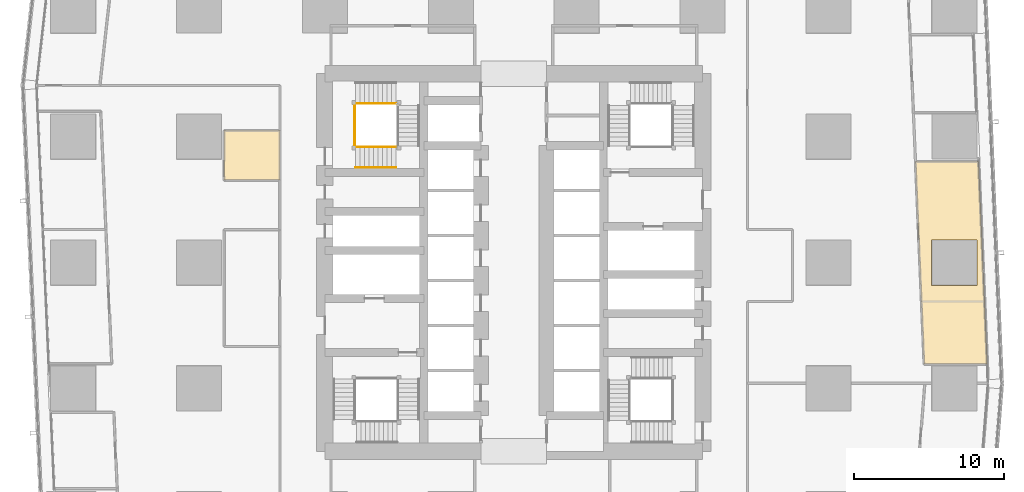
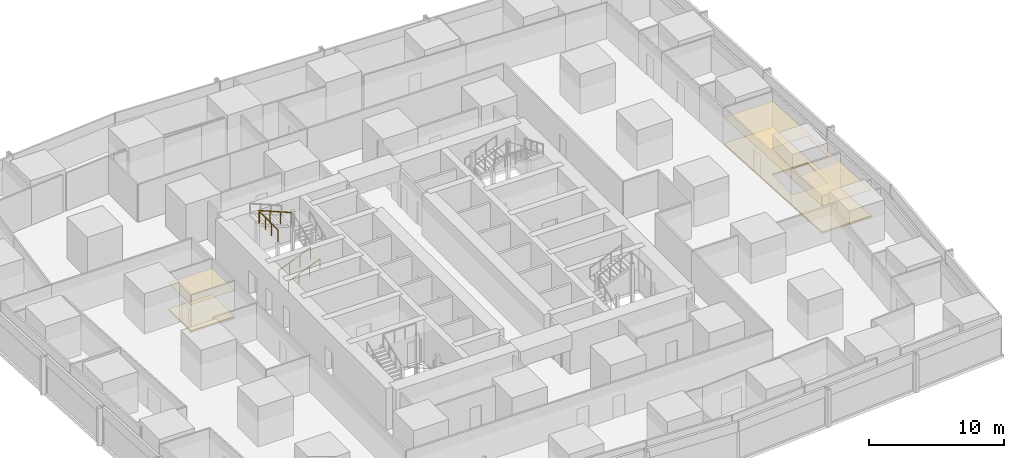
# One storey, part 40 of 44: 4 coverings, 4 railings.
"""IFC4 building model written with IfcOpenShell, lengths in metres."""

from ifc_helpers import new_model, si_unit, direction, frame, origin, origin_2d, place, context, subcontext, project, spatial, polyline, circle, outline, extrude, material, layer, layer_set, type_object, element, save


model = new_model("IFC4")

# Units and contexts
model_context = context("Model", 3, precision=1e-05, world=origin(), true_north=direction((0.0, 1.0)))
body_context = subcontext(model_context, "Body", "Model", "MODEL_VIEW")
ifc_project = project(units=[si_unit("LENGTHUNIT", "METRE"), si_unit("AREAUNIT", "SQUARE_METRE"), si_unit("VOLUMEUNIT", "CUBIC_METRE"), si_unit("PLANEANGLEUNIT", "RADIAN"), si_unit("MASSUNIT", "GRAM", prefix="KILO")], contexts=[model_context])

# Site, building, storey
site_placement = place(None, origin())
site = spatial("IfcSite", under=ifc_project, at=site_placement, CompositionType="ELEMENT")
building_placement = place(site_placement, origin())
building = spatial("IfcBuilding", under=site, at=building_placement, Name="Rekha Terrace Tower", CompositionType="ELEMENT")
storey_placement = place(building_placement, frame((0.0, 0.0, 81.64990234375)))
storey = spatial("IfcBuildingStorey", under=building, at=storey_placement, Name="L20", CompositionType="ELEMENT", Elevation=81.64990234375)

# Coverings
ifc_material_1 = material(Name="Mineral fibre tile in exposed grid", Category="finish")
ifc_layer_1 = layer(ifc_material_1, 0.02001953125)
ifc_layer_set_1 = layer_set([ifc_layer_1], Name="Mineral fibre tile in exposed grid")
covering_type_1 = type_object("IfcCoveringType", Name="CL1 600x1200 office grid ceiling", PredefinedType="CEILING", material=ifc_layer_set_1)
covering_1_placement = place(storey_placement, frame((0.0, 0.0, 2.47998046875)))
element("IfcCovering", 1, at=covering_1_placement, inside=storey, type_object=covering_type_1, Name="Ceiling L20-02", PredefinedType="CEILING", context=body_context, shape_type="SweptSolid", body=[
    extrude(outline(polyline([(69.2041015625, 31.0), (68.804931640625, 40.3359375), (64.60107421875, 40.3359375), (65.0, 31.0029296875), (65.178955078125, 26.821044921875), (69.382080078125, 26.821044921875), (69.2041015625, 31.0)]), holes=[polyline([(68.715087890625, 32.0849609375), (65.68505859375, 32.0849609375), (65.68505859375, 35.114990234375), (68.715087890625, 35.114990234375), (68.715087890625, 32.0849609375)])]), origin(), (0.0, 0.0, 1.0), 0.02001953125),
])
covering_2_placement = place(storey_placement, frame((0.0, 0.0, 2.47998046875)))
element("IfcCovering", 2, at=covering_2_placement, inside=storey, type_object=covering_type_1, Name="Ceiling L20-22", PredefinedType="CEILING", context=body_context, shape_type="SweptSolid", body=[
    extrude(outline(polyline([(22.199951171875, 42.39990234375), (18.47509765625, 42.39990234375), (18.47509765625, 39.10009765625), (22.199951171875, 39.10009765625), (22.199951171875, 42.39990234375)])), origin(), (0.0, 0.0, 1.0), 0.02001953125),
])

# Railings
ifc_material_2 = material(Name="Stainless steel balustrade", Category="steel")
railing_type_1 = type_object("IfcRailingType", Name="GR1 1100 stair guard", PredefinedType="GUARDRAIL", material=ifc_material_2)
railing_1_placement = place(storey_placement, frame((27.25, 41.31494140625, 0.125)))
element("IfcRailing", 3, at=railing_1_placement, inside=storey, type_object=railing_type_1, Name="Guard ST4 L20 flight 1", PredefinedType="GUARDRAIL", context=body_context, shape_type="SweptSolid", body=[
    extrude(circle(Radius=0.02392578125, at=origin_2d()), frame((0.0, 0.0, 1.076171875), z_axis=(0.923074453586, 0.0, 0.384621311341), x_axis=(0.0, 1.0, 0.0)), (0.0, 0.0, 1.0), 2.925048828125),
    extrude(circle(Radius=0.02099609375, at=origin_2d()), origin(), (0.0, 0.0, 1.0), 1.052001953125),
    extrude(circle(Radius=0.02099609375, at=origin_2d()), frame((0.89990234375, 0.0, 0.375)), (0.0, 0.0, 1.0), 1.052001953125),
    extrude(circle(Radius=0.02099609375, at=origin_2d()), frame((1.800048828125, 0.0, 0.75)), (0.0, 0.0, 1.0), 1.052001953125),
    extrude(circle(Radius=0.02099609375, at=origin_2d()), frame((2.699951171875, 0.0, 1.125)), (0.0, 0.0, 1.0), 1.052001953125),
])
railing_2_placement = place(storey_placement, frame((29.949951171875, 44.2099609375, 2.625)))
element("IfcRailing", 4, at=railing_2_placement, inside=storey, type_object=railing_type_1, Name="Guard ST4 L20 flight 3", PredefinedType="GUARDRAIL", context=body_context, shape_type="SweptSolid", body=[
    extrude(circle(Radius=0.02392578125, at=origin_2d()), frame((0.0, 0.0, 1.076171875), z_axis=(-0.923074453586, 0.0, 0.384621311341), x_axis=(0.0, -1.0, 0.0)), (0.0, 0.0, 1.0), 2.925048828125),
    extrude(circle(Radius=0.02099609375, at=origin_2d()), origin(), (0.0, 0.0, 1.0), 1.052001953125),
    extrude(circle(Radius=0.02099609375, at=origin_2d()), frame((-0.89990234375, 0.0, 0.375)), (0.0, 0.0, 1.0), 1.052001953125),
    extrude(circle(Radius=0.02099609375, at=origin_2d()), frame((-1.800048828125, 0.0, 0.75)), (0.0, 0.0, 1.0), 1.052001953125),
    extrude(circle(Radius=0.02099609375, at=origin_2d()), frame((-2.699951171875, 0.0, 1.125)), (0.0, 0.0, 1.0), 1.052001953125),
])
railing_3_placement = place(storey_placement, frame((27.18994140625, 41.375, 3.75)))
element("IfcRailing", 5, at=railing_3_placement, inside=storey, type_object=railing_type_1, Name="Guard ST4 L20 landing 4", PredefinedType="GUARDRAIL", context=body_context, shape_type="SweptSolid", body=[
    extrude(circle(Radius=0.02392578125, at=origin_2d()), frame((0.0, 0.0, 1.076171875), z_axis=(0.0, 1.0, 0.0), x_axis=(-1.0, 0.0, 0.0)), (0.0, 0.0, 1.0), 2.77490234375),
    extrude(circle(Radius=0.02099609375, at=origin_2d()), origin(), (0.0, 0.0, 1.0), 1.052001953125),
    extrude(circle(Radius=0.02099609375, at=origin_2d()), frame((0.0, 0.925048828125, 0.0)), (0.0, 0.0, 1.0), 1.052001953125),
    extrude(circle(Radius=0.02099609375, at=origin_2d()), frame((0.0, 1.849853515625, 0.0)), (0.0, 0.0, 1.0), 1.052001953125),
    extrude(circle(Radius=0.02099609375, at=origin_2d()), frame((0.0, 2.77490234375, 0.0)), (0.0, 0.0, 1.0), 1.052001953125),
])
ifc_material_3 = material(Name="Stainless steel tube", Category="steel")
railing_type_2 = type_object("IfcRailingType", Name="HR1 900 stair handrail", PredefinedType="HANDRAIL", material=ifc_material_3)
railing_4_placement = place(storey_placement, frame((27.25, 39.93505859375, 0.125)))
element("IfcRailing", 6, at=railing_4_placement, inside=storey, type_object=railing_type_2, Name="Handrail ST4 L20 flight 1", PredefinedType="HANDRAIL", context=body_context, shape_type="SweptSolid", body=[
    extrude(circle(Radius=0.02392578125, at=origin_2d()), frame((0.0, 0.0, 0.8759765625), z_axis=(0.923074453586, 0.0, 0.384621311341), x_axis=(0.0, 1.0, 0.0)), (0.0, 0.0, 1.0), 2.925048828125),
    extrude(circle(Radius=0.02099609375, at=origin_2d()), origin(), (0.0, 0.0, 1.0), 0.851806640625),
    extrude(circle(Radius=0.02099609375, at=origin_2d()), frame((0.89990234375, 0.0, 0.375)), (0.0, 0.0, 1.0), 0.851806640625),
    extrude(circle(Radius=0.02099609375, at=origin_2d()), frame((1.800048828125, 0.0, 0.75)), (0.0, 0.0, 1.0), 0.851806640625),
    extrude(circle(Radius=0.02099609375, at=origin_2d()), frame((2.699951171875, 0.0, 1.125)), (0.0, 0.0, 1.0), 0.851806640625),
])

# Coverings
ifc_material_4 = material(Name="Calcium sulphate panels on steel pedestals", Category="steel")
ifc_layer_2 = layer(ifc_material_4, 0.14990234375)
ifc_layer_set_2 = layer_set([ifc_layer_2], Name="Calcium sulphate panels on steel pedestals")
covering_type_2 = type_object("IfcCoveringType", Name="RF1 150 raised access floor", PredefinedType="FLOORING", material=ifc_layer_set_2)
covering_3_placement = place(storey_placement, origin())
element("IfcCovering", 7, at=covering_3_placement, inside=storey, type_object=covering_type_2, Name="Raised floor L20-02", PredefinedType="FLOORING", context=body_context, shape_type="SweptSolid", body=[
    extrude(outline(polyline([(69.2041015625, 31.0), (68.804931640625, 40.3359375), (64.60107421875, 40.3359375), (65.0, 31.0029296875), (65.178955078125, 26.821044921875), (69.382080078125, 26.821044921875), (69.2041015625, 31.0)]), holes=[polyline([(68.715087890625, 32.0849609375), (65.68505859375, 32.0849609375), (65.68505859375, 35.114990234375), (68.715087890625, 35.114990234375), (68.715087890625, 32.0849609375)])]), origin(), (0.0, 0.0, 1.0), 0.150146484375),
])
covering_4_placement = place(storey_placement, origin())
element("IfcCovering", 8, at=covering_4_placement, inside=storey, type_object=covering_type_2, Name="Raised floor L20-22", PredefinedType="FLOORING", context=body_context, shape_type="SweptSolid", body=[
    extrude(outline(polyline([(22.199951171875, 42.39990234375), (18.47509765625, 42.39990234375), (18.47509765625, 39.10009765625), (22.199951171875, 39.10009765625), (22.199951171875, 42.39990234375)])), origin(), (0.0, 0.0, 1.0), 0.150146484375),
])

save(model, "model.ifc")
